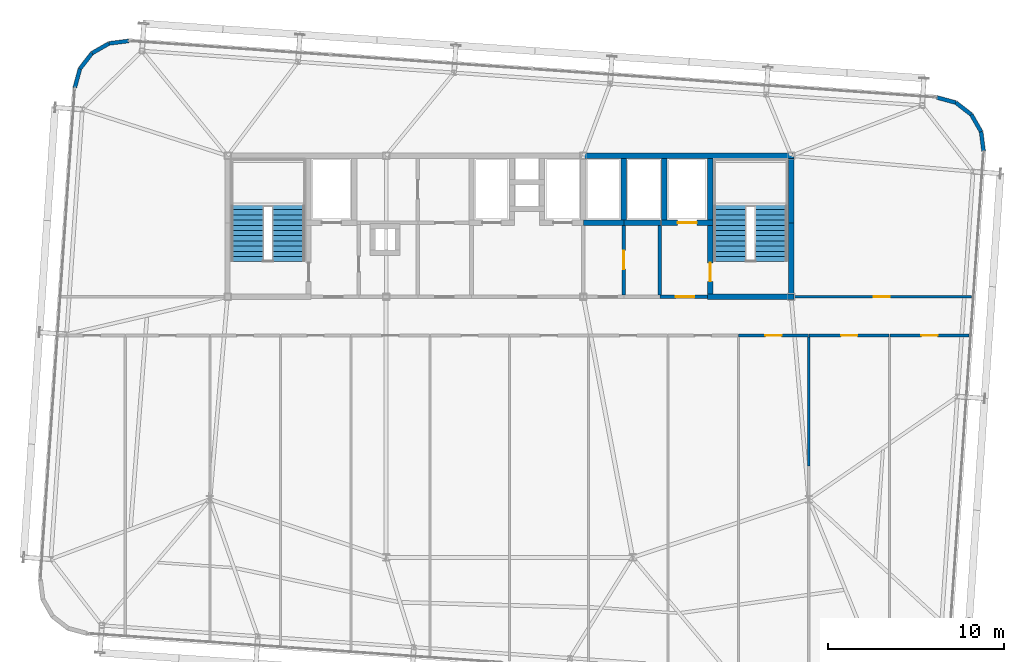
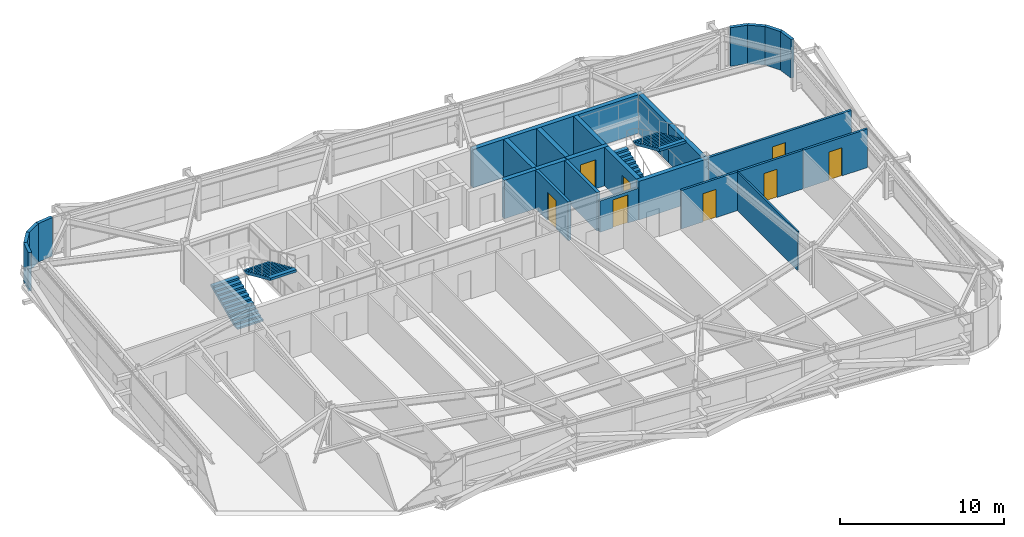
# One storey, part 37 of 39: 27 walls, 8 doors, 4 stair flights, 8 openings, 2 elements without a shape of their own.
"""IFC4 building model written with IfcOpenShell, lengths in metres."""

from ifc_helpers import new_model, si_unit, direction, frame, frame_2d, origin, place, context, subcontext, project, spatial, polyline, rectangle, outline, extrude, source, transform, mapped, material, layer, layer_set, type_object, element, fill, aggregate, save


model = new_model("IFC4")

# Units and contexts
model_context = context("Model", 3, precision=1e-05, world=origin(), true_north=direction((0.0, 1.0)))
body_context = subcontext(model_context, "Body", "Model", "MODEL_VIEW")
ifc_project = project(units=[si_unit("LENGTHUNIT", "METRE"), si_unit("AREAUNIT", "SQUARE_METRE"), si_unit("VOLUMEUNIT", "CUBIC_METRE"), si_unit("PLANEANGLEUNIT", "RADIAN"), si_unit("MASSUNIT", "GRAM", prefix="KILO")], contexts=[model_context])

# Site, building, storey
site_placement = place(None, origin())
site = spatial("IfcSite", under=ifc_project, at=site_placement, CompositionType="ELEMENT")
building_placement = place(site_placement, origin())
building = spatial("IfcBuilding", under=site, at=building_placement, Name="Taldren Reach Tower", CompositionType="ELEMENT")
storey_placement = place(building_placement, frame((0.0, 0.0, 161.35009765625)))
storey = spatial("IfcBuildingStorey", under=building, at=storey_placement, Name="L49", CompositionType="ELEMENT", Elevation=161.35009765625)

# Walls
ifc_material_1 = material(Name="Pale Champagne Anodised Aluminium Cladding", Category="aluminium")
ifc_layer_1 = layer(ifc_material_1, 0.04, Name="Pale Champagne Anodised Aluminium Cladding", Category="aluminium")
ifc_material_2 = material(Name="Mineral Wool Acoustic Insulation", Category="insulation")
ifc_layer_2 = layer(ifc_material_2, 0.06, Name="Mineral Wool Acoustic Insulation", Category="insulation")
ifc_material_3 = material(Name="Steel Gr 350 (C350L0)", Category="steel")
ifc_layer_3 = layer(ifc_material_3, 0.12, Name="Steel Gr 350 (C350L0)", Category="steel")
ifc_layer_set_1 = layer_set([ifc_layer_1, ifc_layer_2, ifc_layer_3], Name="Pale Champagne Aluminium Cladding and Steel Gr 350 Stud Framing")
wall_type_1 = type_object("IfcWallType", Name="EW-CRN-220", PredefinedType="SOLIDWALL", material=ifc_layer_set_1)
shared_shape_1 = source(origin(), body_context, "Body", "SweptSolid", [
    extrude(rectangle(XDim=1.11572265625, YDim=0.219970703125, at=frame_2d((0.557861328125, 0.0))), origin(), (0.0, 0.0, 1.0), 2.869873046875),
])
wall_1_placement = place(storey_placement, frame((12.275146484375, 38.382568359375, 0.0), z_axis=(0.0, 0.0, 1.0), x_axis=(-0.868189279113, -0.496233186751, 0.0)))
element("IfcWall", 1, at=wall_1_placement, inside=storey, type_object=wall_type_1, Name="Rounded-corner pale-metal facade wall L49-NW2", PredefinedType="SOLIDWALL", context=body_context, shape_type="MappedRepresentation", body=[
    mapped(shared_shape_1, transform((0.0, 0.0, 0.0), scale=1.0)),
])
shared_shape_2 = source(origin(), body_context, "Body", "SweptSolid", [
    extrude(rectangle(XDim=1.115966796875, YDim=0.219970703125, at=frame_2d((0.55810546875, 0.0))), origin(), (0.0, 0.0, 1.0), 2.869873046875),
])
for number, where, z_axis, x_axis, name in (
    (2, (61.923583984375, 32.261962890625, 0.0), (0.0, 0.0, 1.0), (-0.126242535829, 0.991999406324, 0.0), "Rounded-corner pale-metal facade wall L49-NE1"),
    (3, (61.78271484375, 33.368896484375, 0.0), (0.0, 0.0, 1.0), (-0.496138938357, 0.868243142124, 0.0), "Rounded-corner pale-metal facade wall L49-NE2"),
    (4, (61.22900390625, 34.337890625, 0.0), (0.0, 0.0, 1.0), (-0.790716874741, 0.612182018684, 0.0), "Rounded-corner pale-metal facade wall L49-NE3"),
    (5, (60.3466796875, 35.02099609375, 0.0), (0.0, 0.0, 1.0), (-0.964804199372, 0.262969307856, 0.0), "Rounded-corner pale-metal facade wall L49-NE4"),
    (6, (13.382080078125, 38.5234375, 0.0), (0.0, 0.0, 1.0), (-0.991999406324, -0.126242535829, 0.0), "Rounded-corner pale-metal facade wall L49-NW1"),
    (7, (11.306396484375, 37.828857421875, 0.0), (0.0, 0.0, 1.0), (-0.612318787668, -0.790610967714, 0.0), "Rounded-corner pale-metal facade wall L49-NW3"),
    (8, (10.623046875, 36.946533203125, 0.0), (0.0, 0.0, 1.0), (-0.262969307856, -0.964804199372, 0.0), "Rounded-corner pale-metal facade wall L49-NW4"),
):
    element("IfcWall", number, at=place(storey_placement, frame(where, z_axis=z_axis, x_axis=x_axis)), inside=storey, type_object=wall_type_1, Name=name, PredefinedType="SOLIDWALL", context=body_context, shape_type="MappedRepresentation", body=[
        mapped(shared_shape_2, transform((0.0, 0.0, 0.0), scale=1.0)),
    ])
ifc_material_4 = material(Name="Concrete S65 (65 MPa)", Category="concrete")
ifc_layer_4 = layer(ifc_material_4, 0.300048828125)
ifc_layer_set_2 = layer_set([ifc_layer_4], Name="Concrete S65 (65 MPa)")
wall_type_2 = type_object("IfcWallType", Name="IW-CORE-300", PredefinedType="SHEAR", material=ifc_layer_set_2)
shared_shape_3 = source(origin(), body_context, "Body", "SweptSolid", [
    extrude(rectangle(XDim=11.949951171875, YDim=0.300048828125, at=frame_2d((5.97509765625, 0.0))), origin(), (0.0, 0.0, 1.0), 2.869873046875),
])
wall_2_placement = place(storey_placement, frame((39.199951171875, 32.0, 0.0), z_axis=(0.0, 0.0, 1.0), x_axis=(1.0, 0.0, 0.0)))
element("IfcWall", 9, at=wall_2_placement, inside=storey, type_object=wall_type_2, Name="Rear Core Shear Wall W-CORE-L49-NORTH3", PredefinedType="SHEAR", context=body_context, shape_type="MappedRepresentation", body=[
    mapped(shared_shape_3, transform((0.0, 0.0, 0.0), scale=1.0)),
])
shared_shape_4 = source(origin(), body_context, "Body", "SweptSolid", [
    extrude(rectangle(XDim=4.050048828125, YDim=0.300048828125, at=frame_2d((2.02490234375, 0.0))), origin(), (0.0, 0.0, 1.0), 2.869873046875),
])
wall_3_placement = place(storey_placement, frame((51.0, 24.14990234375, 0.0), z_axis=(0.0, 0.0, 1.0), x_axis=(0.0, 1.0, 0.0)))
element("IfcWall", 10, at=wall_3_placement, inside=storey, type_object=wall_type_2, Name="Rear Core Shear Wall W-CORE-L49-EAST1", PredefinedType="SHEAR", context=body_context, shape_type="MappedRepresentation", body=[
    mapped(shared_shape_4, transform((0.0, 0.0, 0.0), scale=1.0)),
])
shared_shape_5 = source(origin(), body_context, "Body", "SweptSolid", [
    extrude(rectangle(XDim=3.650146484375, YDim=0.300048828125, at=frame_2d((1.8251953125, 0.0))), origin(), (0.0, 0.0, 1.0), 2.869873046875),
])
wall_4_placement = place(storey_placement, frame((51.0, 28.199951171875, 0.0), z_axis=(0.0, 0.0, 1.0), x_axis=(0.0, 1.0, 0.0)))
element("IfcWall", 11, at=wall_4_placement, inside=storey, type_object=wall_type_2, Name="Rear Core Shear Wall W-CORE-L49-EAST2", PredefinedType="SHEAR", context=body_context, shape_type="MappedRepresentation", body=[
    mapped(shared_shape_5, transform((0.0, 0.0, 0.0), scale=1.0)),
])
shared_shape_6 = source(origin(), body_context, "Body", "SweptSolid", [
    extrude(rectangle(XDim=3.5, YDim=0.300048828125, at=frame_2d((1.75, 0.0))), origin(), (0.0, 0.0, 1.0), 2.869873046875),
])
for number, where, z_axis, x_axis, name in (
    (12, (46.39990234375, 31.85009765625, 0.0), (0.0, 0.0, 1.0), (0.0, -1.0, 0.0), "Rear Core Shear Wall W-INT-L49-008"),
    (13, (43.800048828125, 31.85009765625, 0.0), (0.0, 0.0, 1.0), (0.0, -1.0, 0.0), "Rear Core Shear Wall W-INT-L49-012"),
    (14, (41.5, 28.35009765625, 0.0), (0.0, 0.0, 1.0), (0.0, 1.0, 0.0), "Rear Core Shear Wall W-INT-L49-034"),
):
    element("IfcWall", number, at=place(storey_placement, frame(where, z_axis=z_axis, x_axis=x_axis)), inside=storey, type_object=wall_type_2, Name=name, PredefinedType="SHEAR", context=body_context, shape_type="MappedRepresentation", body=[
        mapped(shared_shape_6, transform((0.0, 0.0, 0.0), scale=1.0)),
    ])

# Wall, opening, door
shared_shape_7 = source(origin(), body_context, "Body", "SweptSolid", [
    extrude(rectangle(XDim=3.900146484375, YDim=0.300048828125, at=frame_2d((1.9501953125, 0.0))), origin(), (0.0, 0.0, 1.0), 2.869873046875),
])
wall_5_placement = place(storey_placement, frame((46.39990234375, 28.050048828125, 0.0), z_axis=(0.0, 0.0, 1.0), x_axis=(0.0, -1.0, 0.0)))
wall_5 = element("IfcWall", 15, at=wall_5_placement, inside=storey, type_object=wall_type_2, Name="Rear Core Shear Wall W-INT-L49-009", PredefinedType="SHEAR", context=body_context, shape_type="MappedRepresentation", body=[
    mapped(shared_shape_7, transform((0.0, 0.0, 0.0), scale=1.0)),
])
shared_shape_8 = source(origin(), body_context, "Body", "SweptSolid", [
    extrude(rectangle(XDim=1.050048828125, YDim=2.10009765625, at=frame_2d((0.52490234375, 1.050048828125))), frame((0.0, 0.16015625, 0.0), z_axis=(0.0, -1.0, 0.0), x_axis=(1.0, 0.0, 0.0)), (0.0, 0.0, 1.0), 0.320068359375),
])
opening_1_placement = place(wall_5_placement, frame((2.125, 0.0, 0.0)))
opening_1 = element("IfcOpeningElement", 16, at=opening_1_placement, cuts=wall_5, Name="Opening DF-105", PredefinedType="OPENING", context=body_context, shape_type="MappedRepresentation", body=[
    mapped(shared_shape_8, transform((0.0, 0.0, 0.0), scale=1.0)),
])
ifc_material_5 = material(Name="Fire-Rated Care and Stair Exit Door")
door_type_1 = type_object("IfcDoorType", Name="ID-FIRE-105", OperationType="NOTDEFINED", PredefinedType="DOOR", material=ifc_material_5)
shared_shape_9 = source(origin(), body_context, "Body", "SweptSolid", [
    extrude(rectangle(XDim=1.050048828125, YDim=2.10009765625, at=frame_2d((0.52490234375, 1.050048828125))), frame((0.0, 0.02490234375, 0.0), z_axis=(0.0, -1.0, 0.0), x_axis=(1.0, 0.0, 0.0)), (0.0, 0.0, 1.0), 0.050048828125),
])
door_1_placement = place(opening_1_placement, origin())
door_1 = element("IfcDoor", 17, at=door_1_placement, inside=storey, type_object=door_type_1, Name="Fire Exit Stair Door DR-L49-003", OperationType="SINGLE_SWING_RIGHT", OverallHeight=2.10009765625, OverallWidth=1.050048828125, PredefinedType="DOOR", context=body_context, shape_type="MappedRepresentation", body=[
    mapped(shared_shape_9, transform((0.0, 0.0, 0.0), scale=1.0)),
])
fill(opening_1, door_1)

# Wall
shared_shape_10 = source(origin(), body_context, "Body", "SweptSolid", [
    extrude(rectangle(XDim=4.89990234375, YDim=0.300048828125, at=frame_2d((2.449951171875, 0.0))), origin(), (0.0, 0.0, 1.0), 2.869873046875),
])
wall_6_placement = place(storey_placement, frame((46.25, 24.0, 0.0), z_axis=(0.0, 0.0, 1.0), x_axis=(1.0, 0.0, 0.0)))
element("IfcWall", 18, at=wall_6_placement, inside=storey, type_object=wall_type_2, Name="Rear Core Shear Wall W-INT-L49-010", PredefinedType="SHEAR", context=body_context, shape_type="MappedRepresentation", body=[
    mapped(shared_shape_10, transform((0.0, 0.0, 0.0), scale=1.0)),
])

# Wall, opening, door
shared_shape_11 = source(origin(), body_context, "Body", "SweptSolid", [
    extrude(rectangle(XDim=2.900146484375, YDim=0.300048828125, at=frame_2d((1.4501953125, 0.0))), origin(), (0.0, 0.0, 1.0), 2.869873046875),
])
wall_7_placement = place(storey_placement, frame((43.64990234375, 28.199951171875, 0.0), z_axis=(0.0, 0.0, 1.0), x_axis=(1.0, 0.0, 0.0)))
wall_7 = element("IfcWall", 19, at=wall_7_placement, inside=storey, type_object=wall_type_2, Name="Rear Core Shear Wall W-INT-L49-011", PredefinedType="SHEAR", context=body_context, shape_type="MappedRepresentation", body=[
    mapped(shared_shape_11, transform((0.0, 0.0, 0.0), scale=1.0)),
])
shared_shape_12 = source(origin(), body_context, "Body", "SweptSolid", [
    extrude(rectangle(XDim=1.10009765625, YDim=2.14990234375, at=frame_2d((0.550048828125, 1.074951171875))), frame((0.0, 0.16015625, 0.0), z_axis=(0.0, -1.0, 0.0), x_axis=(1.0, 0.0, 0.0)), (0.0, 0.0, 1.0), 0.320068359375),
])
opening_2_placement = place(wall_7_placement, frame((0.89990234375, 0.0, 0.0)))
opening_2 = element("IfcOpeningElement", 20, at=opening_2_placement, cuts=wall_7, Name="Opening LD-FL2", PredefinedType="OPENING", context=body_context, shape_type="MappedRepresentation", body=[
    mapped(shared_shape_12, transform((0.0, 0.0, 0.0), scale=1.0)),
])
ifc_material_6 = material(Name="Stainless Steel Gr 316 Emergency Lift Landing Door", Category="steel")
door_type_2 = type_object("IfcDoorType", Name="LD-EMG-110", OperationType="SLIDING_TO_LEFT", PredefinedType="DOOR", material=ifc_material_6)
shared_shape_13 = source(origin(), body_context, "Body", "SweptSolid", [
    extrude(rectangle(XDim=1.10009765625, YDim=2.14990234375, at=frame_2d((0.550048828125, 1.074951171875))), frame((0.0, 0.02490234375, 0.0), z_axis=(0.0, -1.0, 0.0), x_axis=(1.0, 0.0, 0.0)), (0.0, 0.0, 1.0), 0.050048828125),
])
door_2_placement = place(opening_2_placement, origin())
door_2 = element("IfcDoor", 21, at=door_2_placement, inside=storey, type_object=door_type_2, Name="Lift Landing Door LD-FL2-L49", OperationType="SLIDING_TO_LEFT", OverallHeight=2.14990234375, OverallWidth=1.10009765625, PredefinedType="DOOR", context=body_context, shape_type="MappedRepresentation", body=[
    mapped(shared_shape_13, transform((0.0, 0.0, 0.0), scale=1.0)),
])
fill(opening_2, door_2)

# Wall
ifc_material_7 = material(Name="Concrete S50 (50 MPa)", Category="concrete")
ifc_layer_5 = layer(ifc_material_7, 0.199951171875)
ifc_layer_set_3 = layer_set([ifc_layer_5], Name="Concrete S50 (50 MPa)")
wall_type_3 = type_object("IfcWallType", Name="IW-CORE-200", PredefinedType="SOLIDWALL", material=ifc_layer_set_3)
shared_shape_14 = source(origin(), body_context, "Body", "SweptSolid", [
    extrude(rectangle(XDim=3.949951171875, YDim=0.199951171875, at=frame_2d((1.97509765625, 0.0))), origin(), (0.0, 0.0, 1.0), 2.869873046875),
])
wall_8_placement = place(storey_placement, frame((43.550048828125, 28.050048828125, 0.0), z_axis=(0.0, 0.0, 1.0), x_axis=(0.0, -1.0, 0.0)))
element("IfcWall", 22, at=wall_8_placement, inside=storey, type_object=wall_type_3, Name="Rear Core Shear Wall W-INT-L49-013", PredefinedType="SOLIDWALL", context=body_context, shape_type="MappedRepresentation", body=[
    mapped(shared_shape_14, transform((0.0, 0.0, 0.0), scale=1.0)),
])

# Wall, opening, door
wall_9_placement = place(storey_placement, frame((41.5, 28.050048828125, 0.0), z_axis=(0.0, 0.0, 1.0), x_axis=(0.0, -1.0, 0.0)))
wall_9 = element("IfcWall", 23, at=wall_9_placement, inside=storey, type_object=wall_type_3, Name="Rear Core Shear Wall W-INT-L49-043", PredefinedType="SOLIDWALL", context=body_context, shape_type="MappedRepresentation", body=[
    mapped(shared_shape_14, transform((0.0, 0.0, 0.0), scale=1.0)),
])
shared_shape_15 = source(origin(), body_context, "Body", "SweptSolid", [
    extrude(rectangle(XDim=1.050048828125, YDim=2.10009765625, at=frame_2d((0.52490234375, 1.050048828125))), frame((0.0, 0.10986328125, 0.0), z_axis=(0.0, -1.0, 0.0), x_axis=(1.0, 0.0, 0.0)), (0.0, 0.0, 1.0), 0.219970703125),
])
opening_3_placement = place(wall_9_placement, frame((1.425048828125, 0.0, 0.0)))
opening_3 = element("IfcOpeningElement", 24, at=opening_3_placement, cuts=wall_9, Name="Opening DF-105", PredefinedType="OPENING", context=body_context, shape_type="MappedRepresentation", body=[
    mapped(shared_shape_15, transform((0.0, 0.0, 0.0), scale=1.0)),
])
door_3_placement = place(opening_3_placement, frame((1.050048828125, 0.0, 0.0), z_axis=(0.0, 0.0, 1.0), x_axis=(-1.0, 0.0, 0.0)))
door_3 = element("IfcDoor", 25, at=door_3_placement, inside=storey, type_object=door_type_1, Name="Interior Door DR-L49-009", OperationType="SINGLE_SWING_LEFT", OverallHeight=2.10009765625, OverallWidth=1.050048828125, PredefinedType="DOOR", context=body_context, shape_type="MappedRepresentation", body=[
    mapped(shared_shape_9, transform((0.0, 0.0, 0.0), scale=1.0)),
])
fill(opening_3, door_3)

shared_shape_16 = source(origin(), body_context, "Body", "SweptSolid", [
    extrude(rectangle(XDim=2.699951171875, YDim=0.199951171875, at=frame_2d((1.35009765625, 0.0))), origin(), (0.0, 0.0, 1.0), 2.3369140625),
])
wall_10_placement = place(storey_placement, frame((43.550048828125, 24.0, 0.0), z_axis=(0.0, 0.0, 1.0), x_axis=(1.0, 0.0, 0.0)))
wall_10 = element("IfcWall", 26, at=wall_10_placement, inside=storey, type_object=wall_type_3, Name="Rear Core Shear Wall W-INT-L49-014", PredefinedType="SOLIDWALL", context=body_context, shape_type="MappedRepresentation", body=[
    mapped(shared_shape_16, transform((0.0, 0.0, 0.0), scale=1.0)),
])
opening_4_placement = place(wall_10_placement, frame((0.89990234375, 0.0, 0.0)))
opening_4 = element("IfcOpeningElement", 27, at=opening_4_placement, cuts=wall_10, Name="Opening DF-105", PredefinedType="OPENING", context=body_context, shape_type="MappedRepresentation", body=[
    mapped(shared_shape_15, transform((0.0, 0.0, 0.0), scale=1.0)),
])
door_4_placement = place(opening_4_placement, origin())
door_4 = element("IfcDoor", 28, at=door_4_placement, inside=storey, type_object=door_type_1, Name="Interior Door DR-L49-004", OperationType="SINGLE_SWING_LEFT", OverallHeight=2.10009765625, OverallWidth=1.050048828125, PredefinedType="DOOR", context=body_context, shape_type="MappedRepresentation", body=[
    mapped(shared_shape_9, transform((0.0, 0.0, 0.0), scale=1.0)),
])
fill(opening_4, door_4)

# Walls
shared_shape_17 = source(origin(), body_context, "Body", "SweptSolid", [
    extrude(rectangle(XDim=2.300048828125, YDim=0.300048828125, at=frame_2d((1.14990234375, 0.0))), origin(), (0.0, 0.0, 1.0), 2.869873046875),
])
wall_11_placement = place(storey_placement, frame((39.199951171875, 28.199951171875, 0.0), z_axis=(0.0, 0.0, 1.0), x_axis=(1.0, 0.0, 0.0)))
element("IfcWall", 29, at=wall_11_placement, inside=storey, type_object=wall_type_2, Name="Rear Core Shear Wall W-INT-L49-035", PredefinedType="SHEAR", context=body_context, shape_type="MappedRepresentation", body=[
    mapped(shared_shape_17, transform((0.0, 0.0, 0.0), scale=1.0)),
])
shared_shape_18 = source(origin(), body_context, "Body", "SweptSolid", [
    extrude(rectangle(XDim=2.070068359375, YDim=0.300048828125, at=frame_2d((1.03515625, 0.0))), origin(), (0.0, 0.0, 1.0), 2.869873046875),
])
wall_12_placement = place(storey_placement, frame((41.5, 28.199951171875, 0.0), z_axis=(0.0, 0.0, 1.0), x_axis=(1.0, 0.0, 0.0)))
element("IfcWall", 30, at=wall_12_placement, inside=storey, type_object=wall_type_2, Name="Rear Core Shear Wall W-INT-L49-036", PredefinedType="SHEAR", context=body_context, shape_type="MappedRepresentation", body=[
    mapped(shared_shape_18, transform((0.0, 0.0, 0.0), scale=1.0)),
])

# Wall, opening, door
ifc_material_8 = material(Name="Fire-Rated Acoustic Plasterboard Stud Wall", Category="gypsum")
ifc_layer_6 = layer(ifc_material_8, 0.159912109375)
ifc_layer_set_4 = layer_set([ifc_layer_6], Name="Fire-Rated Acoustic Plasterboard Stud Wall")
wall_type_4 = type_object("IfcWallType", Name="IW-FIRE-160", PredefinedType="PARTITIONING", material=ifc_layer_set_4)
shared_shape_19 = source(origin(), body_context, "Body", "SweptSolid", [
    extrude(rectangle(XDim=3.95947265625, YDim=0.159912109375, at=frame_2d((1.979736328125, 0.0))), origin(), (0.0, 0.0, 1.0), 2.869873046875),
])
wall_13_placement = place(storey_placement, frame((51.979736328125, 21.800048828125, 0.0), z_axis=(0.0, 0.0, 1.0), x_axis=(-1.0, 0.0, 0.0)))
wall_13 = element("IfcWall", 31, at=wall_13_placement, inside=storey, type_object=wall_type_4, Name="Interior Partition Wall W-INT-L49-055", PredefinedType="PARTITIONING", context=body_context, shape_type="MappedRepresentation", body=[
    mapped(shared_shape_19, transform((0.0, 0.0, 0.0), scale=1.0)),
])
shared_shape_20 = source(origin(), body_context, "Body", "SweptSolid", [
    extrude(rectangle(XDim=0.919921875, YDim=2.10009765625, at=frame_2d((0.4599609375, 1.050048828125))), frame((0.0, 0.08984375, 0.0), z_axis=(0.0, -1.0, 0.0), x_axis=(1.0, 0.0, 0.0)), (0.0, 0.0, 1.0), 0.179931640625),
])
opening_5_placement = place(wall_13_placement, frame((1.519775390625, 0.0, 0.0)))
opening_5 = element("IfcOpeningElement", 32, at=opening_5_placement, cuts=wall_13, Name="Opening DI-092", PredefinedType="OPENING", context=body_context, shape_type="MappedRepresentation", body=[
    mapped(shared_shape_20, transform((0.0, 0.0, 0.0), scale=1.0)),
])
ifc_material_9 = material(Name="Solid-Core Timber Suite Door", Category="wood")
door_type_3 = type_object("IfcDoorType", Name="ID-INT-092", OperationType="NOTDEFINED", PredefinedType="DOOR", material=ifc_material_9)
shared_shape_21 = source(origin(), body_context, "Body", "SweptSolid", [
    extrude(rectangle(XDim=0.919921875, YDim=2.10009765625, at=frame_2d((0.4599609375, 1.050048828125))), frame((0.0, 0.02490234375, 0.0), z_axis=(0.0, -1.0, 0.0), x_axis=(1.0, 0.0, 0.0)), (0.0, 0.0, 1.0), 0.050048828125),
])
door_5_placement = place(opening_5_placement, origin())
door_5 = element("IfcDoor", 33, at=door_5_placement, inside=storey, type_object=door_type_3, Name="Interior Door DR-L49-020", OperationType="SINGLE_SWING_LEFT", OverallHeight=2.10009765625, OverallWidth=0.919921875, PredefinedType="DOOR", context=body_context, shape_type="MappedRepresentation", body=[
    mapped(shared_shape_21, transform((0.0, 0.0, 0.0), scale=1.0)),
])
fill(opening_5, door_5)

shared_shape_22 = source(origin(), body_context, "Body", "SweptSolid", [
    extrude(rectangle(XDim=4.54736328125, YDim=0.159912109375, at=frame_2d((2.273681640625, 0.0))), origin(), (0.0, 0.0, 1.0), 2.869873046875),
])
wall_14_placement = place(storey_placement, frame((56.56787109375, 21.800048828125, 0.0), z_axis=(0.0, 0.0, 1.0), x_axis=(-1.0, 0.0, 0.0)))
wall_14 = element("IfcWall", 34, at=wall_14_placement, inside=storey, type_object=wall_type_4, Name="Interior Partition Wall W-INT-L49-056", PredefinedType="PARTITIONING", context=body_context, shape_type="MappedRepresentation", body=[
    mapped(shared_shape_22, transform((0.0, 0.0, 0.0), scale=1.0)),
])
opening_6_placement = place(wall_14_placement, frame((1.813720703125, 0.0, 0.0)))
opening_6 = element("IfcOpeningElement", 35, at=opening_6_placement, cuts=wall_14, Name="Opening DI-092", PredefinedType="OPENING", context=body_context, shape_type="MappedRepresentation", body=[
    mapped(shared_shape_20, transform((0.0, 0.0, 0.0), scale=1.0)),
])
door_6_placement = place(opening_6_placement, origin())
door_6 = element("IfcDoor", 36, at=door_6_placement, inside=storey, type_object=door_type_3, Name="Interior Door DR-L49-021", OperationType="SINGLE_SWING_RIGHT", OverallHeight=2.10009765625, OverallWidth=0.919921875, PredefinedType="DOOR", context=body_context, shape_type="MappedRepresentation", body=[
    mapped(shared_shape_21, transform((0.0, 0.0, 0.0), scale=1.0)),
])
fill(opening_6, door_6)

shared_shape_23 = source(origin(), body_context, "Body", "SweptSolid", [
    extrude(rectangle(XDim=4.4990234375, YDim=0.159912109375, at=frame_2d((2.24951171875, 0.0))), origin(), (0.0, 0.0, 1.0), 2.869873046875),
])
wall_15_placement = place(storey_placement, frame((61.107421875, 21.800048828125, 0.0), z_axis=(0.0, 0.0, 1.0), x_axis=(-1.0, 0.0, 0.0)))
wall_15 = element("IfcWall", 37, at=wall_15_placement, inside=storey, type_object=wall_type_4, Name="Interior Partition Wall W-INT-L49-057", PredefinedType="PARTITIONING", context=body_context, shape_type="MappedRepresentation", body=[
    mapped(shared_shape_23, transform((0.0, 0.0, 0.0), scale=1.0)),
])
opening_7_placement = place(wall_15_placement, frame((1.78955078125, 0.0, 0.0)))
opening_7 = element("IfcOpeningElement", 38, at=opening_7_placement, cuts=wall_15, Name="Opening DI-092", PredefinedType="OPENING", context=body_context, shape_type="MappedRepresentation", body=[
    mapped(shared_shape_20, transform((0.0, 0.0, 0.0), scale=1.0)),
])
door_7_placement = place(opening_7_placement, origin())
door_7 = element("IfcDoor", 39, at=door_7_placement, inside=storey, type_object=door_type_3, Name="Interior Door DR-L49-022", OperationType="SINGLE_SWING_LEFT", OverallHeight=2.10009765625, OverallWidth=0.919921875, PredefinedType="DOOR", context=body_context, shape_type="MappedRepresentation", body=[
    mapped(shared_shape_21, transform((0.0, 0.0, 0.0), scale=1.0)),
])
fill(opening_7, door_7)

shared_shape_24 = source(origin(), body_context, "Body", "SweptSolid", [
    extrude(rectangle(XDim=10.10009765625, YDim=0.159912109375, at=frame_2d((5.050048828125, 0.0))), origin(), (0.0, 0.0, 1.0), 2.869873046875),
])
wall_16_placement = place(storey_placement, frame((51.14990234375, 24.0, 0.0), z_axis=(0.0, 0.0, 1.0), x_axis=(1.0, 0.0, 0.0)))
wall_16 = element("IfcWall", 40, at=wall_16_placement, inside=storey, type_object=wall_type_4, Name="Interior Partition Wall W-INT-L49-058", PredefinedType="PARTITIONING", context=body_context, shape_type="MappedRepresentation", body=[
    mapped(shared_shape_24, transform((0.0, 0.0, 0.0), scale=1.0)),
])
opening_8_placement = place(wall_16_placement, frame((4.525146484375, 0.0, 0.0)))
opening_8 = element("IfcOpeningElement", 41, at=opening_8_placement, cuts=wall_16, Name="Opening DI-092", PredefinedType="OPENING", context=body_context, shape_type="MappedRepresentation", body=[
    mapped(shared_shape_20, transform((0.0, 0.0, 0.0), scale=1.0)),
])
door_8_placement = place(opening_8_placement, origin())
door_8 = element("IfcDoor", 42, at=door_8_placement, inside=storey, type_object=door_type_3, Name="Interior Door DR-L49-023", OperationType="SINGLE_SWING_RIGHT", OverallHeight=2.10009765625, OverallWidth=0.919921875, PredefinedType="DOOR", context=body_context, shape_type="MappedRepresentation", body=[
    mapped(shared_shape_21, transform((0.0, 0.0, 0.0), scale=1.0)),
])
fill(opening_8, door_8)

# Wall
ifc_material_10 = material(Name="Insulated Residential Stud Partition", Category="gypsum")
ifc_layer_7 = layer(ifc_material_10, 0.1201171875)
ifc_layer_set_5 = layer_set([ifc_layer_7], Name="Insulated Residential Stud Partition")
wall_type_5 = type_object("IfcWallType", Name="IW-PART-120", PredefinedType="PARTITIONING", material=ifc_layer_set_5)
shared_shape_25 = source(origin(), body_context, "Body", "SweptSolid", [
    extrude(rectangle(XDim=7.32177734375, YDim=0.1201171875, at=frame_2d((3.660888671875, 0.0))), origin(), (0.0, 0.0, 1.0), 2.869873046875),
])
wall_17_placement = place(storey_placement, frame((52.0, 21.718017578125, 0.0), z_axis=(0.0, 0.0, 1.0), x_axis=(0.0, -1.0, 0.0)))
element("IfcWall", 43, at=wall_17_placement, inside=storey, type_object=wall_type_5, Name="Interior Partition Wall W-INT-L49-069", PredefinedType="PARTITIONING", context=body_context, shape_type="MappedRepresentation", body=[
    mapped(shared_shape_25, transform((0.0, 0.0, 0.0), scale=1.0)),
])

# Stair, stair flights
stair_type = type_object("IfcStairType", Name="ST-HT-315", PredefinedType="HALF_TURN_STAIR", material=ifc_material_7)
stair_1_placement = place(storey_placement, origin())
stair_1 = element("IfcStair", 44, at=stair_1_placement, inside=storey, type_object=stair_type, Name="Fire-isolated exit stair ST1 L49", PredefinedType="HALF_TURN_STAIR")
stair_flight_type = type_object("IfcStairFlightType", Name="SF-STR-315", PredefinedType="STRAIGHT", material=ifc_material_7)
stair_flight_1_placement = place(storey_placement, frame((20.139892578125, 25.989990234375, 0.0), z_axis=(0.0, 0.0, 1.0), x_axis=(0.0, 1.0, 0.0)))
stair_flight_1 = element("IfcStairFlight", 45, at=stair_flight_1_placement, type_object=stair_flight_type, Name="ST1 flight 1", NumberOfRisers=12, NumberOfTreads=11, PredefinedType="STRAIGHT", RiserHeight=0.13125, TreadLength=0.295, context=body_context, shape_type="SweptSolid", body=[
    extrude(outline(polyline([(0.0, 0.0), (0.0, 0.13134765625), (0.294921875, 0.13134765625), (0.294921875, 0.262451171875), (0.590087890625, 0.262451171875), (0.590087890625, 0.393798828125), (0.885009765625, 0.393798828125), (0.885009765625, 0.52490234375), (1.179931640625, 0.52490234375), (1.179931640625, 0.65625), (1.47509765625, 0.65625), (1.47509765625, 0.78759765625), (1.77001953125, 0.78759765625), (1.77001953125, 0.918701171875), (2.06494140625, 0.918701171875), (2.06494140625, 1.050048828125), (2.360107421875, 1.050048828125), (2.360107421875, 1.18115234375), (2.655029296875, 1.18115234375), (2.655029296875, 1.3125), (2.949951171875, 1.3125), (2.949951171875, 1.44384765625), (3.2451171875, 1.44384765625), (3.2451171875, 1.574951171875), (3.2451171875, 1.268798828125), (0.393310546875, 0.0), (0.0, 0.0)])), frame((0.0, 0.919921875, 0.0), z_axis=(0.0, -1.0, 0.0), x_axis=(1.0, 0.0, 0.0)), (0.0, 0.0, 1.0), 1.840087890625),
])
stair_flight_2_placement = place(storey_placement, frame((22.4599609375, 29.235107421875, 1.574951171875), z_axis=(0.0, 0.0, 1.0), x_axis=(0.0, -1.0, 0.0)))
stair_flight_2 = element("IfcStairFlight", 46, at=stair_flight_2_placement, type_object=stair_flight_type, Name="ST1 flight 2", NumberOfRisers=12, NumberOfTreads=11, PredefinedType="STRAIGHT", RiserHeight=0.13125, TreadLength=0.295, context=body_context, shape_type="SweptSolid", body=[
    extrude(outline(polyline([(0.0, 0.0), (0.0, 0.13134765625), (0.294921875, 0.13134765625), (0.294921875, 0.262451171875), (0.590087890625, 0.262451171875), (0.590087890625, 0.393798828125), (0.885009765625, 0.393798828125), (0.885009765625, 0.52490234375), (1.179931640625, 0.52490234375), (1.179931640625, 0.65625), (1.47509765625, 0.65625), (1.47509765625, 0.78759765625), (1.77001953125, 0.78759765625), (1.77001953125, 0.918701171875), (2.06494140625, 0.918701171875), (2.06494140625, 1.050048828125), (2.360107421875, 1.050048828125), (2.360107421875, 1.18115234375), (2.655029296875, 1.18115234375), (2.655029296875, 1.3125), (2.949951171875, 1.3125), (2.949951171875, 1.44384765625), (3.2451171875, 1.44384765625), (3.2451171875, 1.574951171875), (3.2451171875, 1.268798828125), (0.393310546875, 0.0), (0.0, 0.0)])), frame((0.0, 0.919921875, 0.0), z_axis=(0.0, -1.0, 0.0), x_axis=(1.0, 0.0, 0.0)), (0.0, 0.0, 1.0), 1.840087890625),
])
aggregate(stair_1, [stair_flight_1, stair_flight_2])

stair_2_placement = place(storey_placement, origin())
stair_2 = element("IfcStair", 47, at=stair_2_placement, inside=storey, type_object=stair_type, Name="Fire-isolated exit stair ST2 L49", PredefinedType="HALF_TURN_STAIR")
stair_flight_3_placement = place(storey_placement, frame((47.5400390625, 25.989990234375, 0.0), z_axis=(0.0, 0.0, 1.0), x_axis=(0.0, 1.0, 0.0)))
stair_flight_3 = element("IfcStairFlight", 48, at=stair_flight_3_placement, type_object=stair_flight_type, Name="ST2 flight 1", NumberOfRisers=12, NumberOfTreads=11, PredefinedType="STRAIGHT", RiserHeight=0.13125, TreadLength=0.295, context=body_context, shape_type="SweptSolid", body=[
    extrude(outline(polyline([(0.0, 0.0), (0.0, 0.13134765625), (0.294921875, 0.13134765625), (0.294921875, 0.262451171875), (0.590087890625, 0.262451171875), (0.590087890625, 0.393798828125), (0.885009765625, 0.393798828125), (0.885009765625, 0.52490234375), (1.179931640625, 0.52490234375), (1.179931640625, 0.65625), (1.47509765625, 0.65625), (1.47509765625, 0.78759765625), (1.77001953125, 0.78759765625), (1.77001953125, 0.918701171875), (2.06494140625, 0.918701171875), (2.06494140625, 1.050048828125), (2.360107421875, 1.050048828125), (2.360107421875, 1.18115234375), (2.655029296875, 1.18115234375), (2.655029296875, 1.3125), (2.949951171875, 1.3125), (2.949951171875, 1.44384765625), (3.2451171875, 1.44384765625), (3.2451171875, 1.574951171875), (3.2451171875, 1.268798828125), (0.393310546875, 0.0), (0.0, 0.0)])), frame((0.0, 0.919921875, 0.0), z_axis=(0.0, -1.0, 0.0), x_axis=(1.0, 0.0, 0.0)), (0.0, 0.0, 1.0), 1.840087890625),
])
stair_flight_4_placement = place(storey_placement, frame((49.860107421875, 29.235107421875, 1.574951171875), z_axis=(0.0, 0.0, 1.0), x_axis=(0.0, -1.0, 0.0)))
stair_flight_4 = element("IfcStairFlight", 49, at=stair_flight_4_placement, type_object=stair_flight_type, Name="ST2 flight 2", NumberOfRisers=12, NumberOfTreads=11, PredefinedType="STRAIGHT", RiserHeight=0.13125, TreadLength=0.295, context=body_context, shape_type="SweptSolid", body=[
    extrude(outline(polyline([(0.0, 0.0), (0.0, 0.13134765625), (0.294921875, 0.13134765625), (0.294921875, 0.262451171875), (0.590087890625, 0.262451171875), (0.590087890625, 0.393798828125), (0.885009765625, 0.393798828125), (0.885009765625, 0.52490234375), (1.179931640625, 0.52490234375), (1.179931640625, 0.65625), (1.47509765625, 0.65625), (1.47509765625, 0.78759765625), (1.77001953125, 0.78759765625), (1.77001953125, 0.918701171875), (2.06494140625, 0.918701171875), (2.06494140625, 1.050048828125), (2.360107421875, 1.050048828125), (2.360107421875, 1.18115234375), (2.655029296875, 1.18115234375), (2.655029296875, 1.3125), (2.949951171875, 1.3125), (2.949951171875, 1.44384765625), (3.2451171875, 1.44384765625), (3.2451171875, 1.574951171875), (3.2451171875, 1.268798828125), (0.393310546875, 0.0), (0.0, 0.0)])), frame((0.0, 0.919921875, 0.0), z_axis=(0.0, -1.0, 0.0), x_axis=(1.0, 0.0, 0.0)), (0.0, 0.0, 1.0), 1.840087890625),
])
aggregate(stair_2, [stair_flight_3, stair_flight_4])

save(model, "model.ifc")
